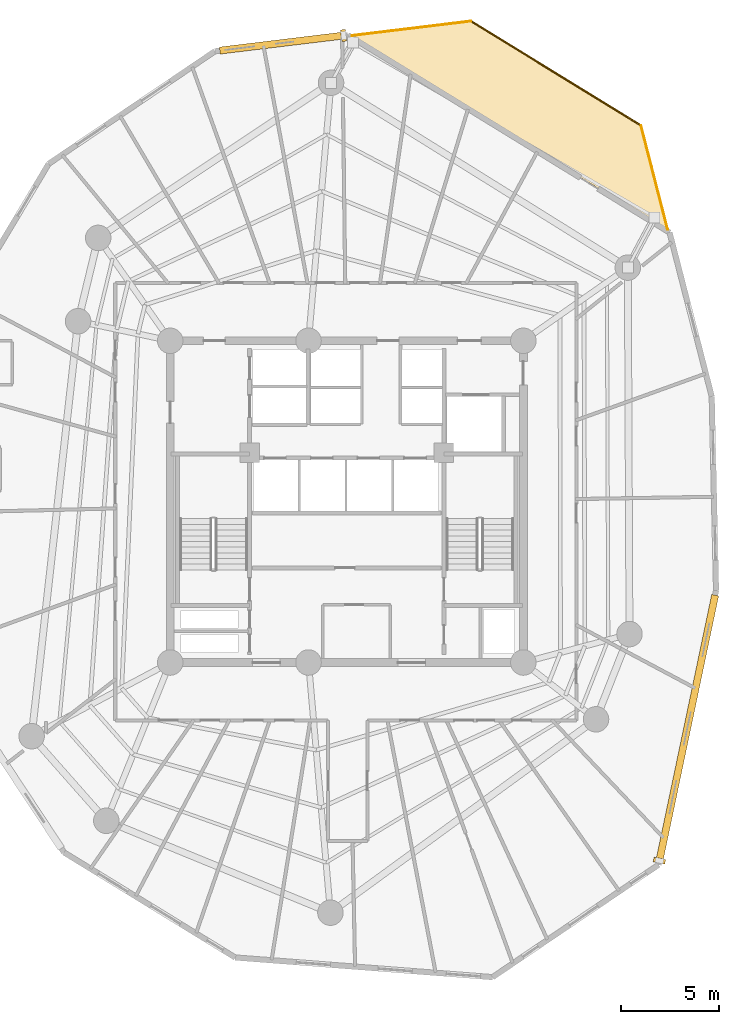
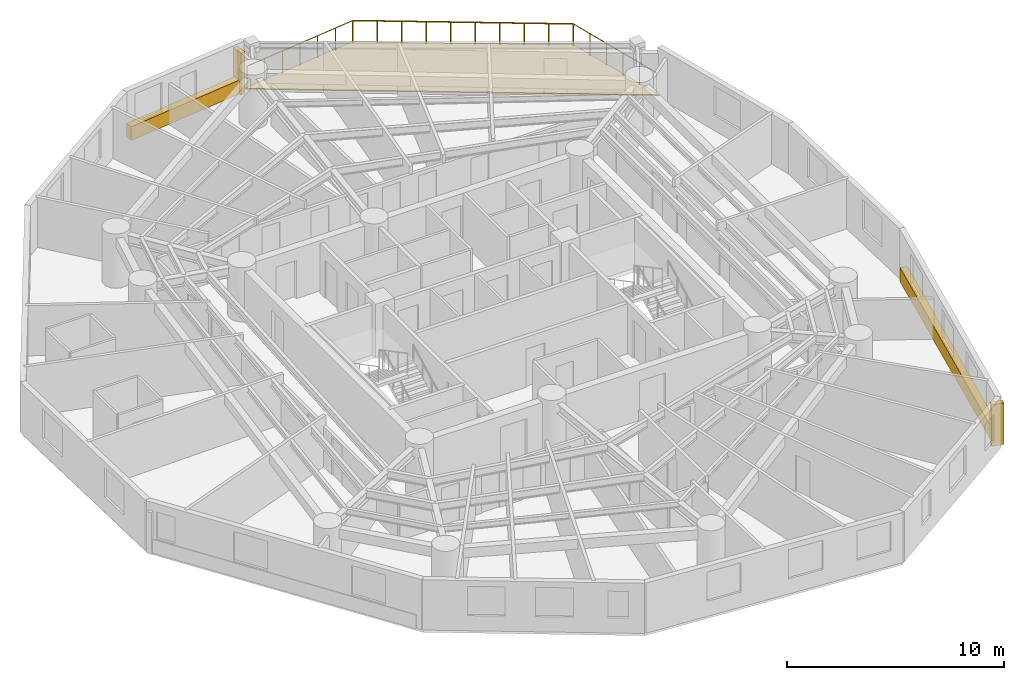
# One storey, part 9 of 9: 3 coverings, 3 railings, 2 shading devices.
"""IFC4 building model written with IfcOpenShell, lengths in metres."""

from ifc_helpers import new_model, si_unit, direction, frame, origin, origin_with_axes, origin_2d, place, context, subcontext, project, spatial, polyline, rectangle, circle, outline, extrude, source, transform, mapped, material, layer, layer_set, type_object, element, save


model = new_model("IFC4")

# Units and contexts
model_context = context("Model", 3, precision=1e-05, world=origin(), true_north=direction((0.0, 1.0)))
body_context = subcontext(model_context, "Body", "Model", "MODEL_VIEW")
ifc_project = project(units=[si_unit("LENGTHUNIT", "METRE"), si_unit("AREAUNIT", "SQUARE_METRE"), si_unit("VOLUMEUNIT", "CUBIC_METRE"), si_unit("PLANEANGLEUNIT", "RADIAN"), si_unit("MASSUNIT", "GRAM", prefix="KILO")], contexts=[model_context])

# Site, building, storey
site_placement = place(None, origin())
site = spatial("IfcSite", under=ifc_project, at=site_placement, CompositionType="ELEMENT")
building_placement = place(site_placement, origin())
building = spatial("IfcBuilding", under=site, at=building_placement, Name="Karkom Vertical University and Central Library", CompositionType="ELEMENT")
storey_placement = place(building_placement, frame((0.0, 0.0, 190.10009765625)))
storey = spatial("IfcBuildingStorey", under=building, at=storey_placement, Name="L55", CompositionType="ELEMENT", Elevation=190.10009765625)

# Covering
ifc_material_1 = material(Name="EPDM membrane with Kota stone ballast roofing", Category="masonry")
ifc_layer_1 = layer(ifc_material_1, 0.080078125)
ifc_layer_set_1 = layer_set([ifc_layer_1], Name="EPDM membrane with Kota stone ballast roofing")
covering_type_1 = type_object("IfcCoveringType", Name="ENV-COV-ROOF", PredefinedType="ROOFING", material=ifc_layer_set_1)
covering_1_placement = place(storey_placement, origin())
element("IfcCovering", 1, at=covering_1_placement, inside=storey, type_object=covering_type_1, Name="Level 55 Spiral Sky Garden Waterproofing Covering", PredefinedType="ROOFING", context=body_context, shape_type="SweptSolid", body=[
    extrude(outline(polyline([(34.840087890625, 51.050048828125), (43.5478515625, 45.705078125), (44.951416015625, 40.24609375), (28.587890625, 50.2900390625), (34.840087890625, 51.050048828125)])), origin(), (0.0, 0.0, 1.0), 0.059814453125),
])

# Railings
ifc_material_2 = material(Name="Architectural painted steel & laminated glass balustrade", Category="steel")
ifc_layer_2 = layer(ifc_material_2, 0.090087890625)
ifc_layer_set_2 = layer_set([ifc_layer_2], Name="Architectural painted steel & laminated glass balustrade")
railing_type = type_object("IfcRailingType", Name="ENV-RL-BAL1300", PredefinedType="BALUSTRADE", material=ifc_layer_set_2)
railing_1_placement = place(storey_placement, frame((34.82666015625, 50.98779296875, 0.0)))
element("IfcRailing", 2, at=railing_1_placement, inside=storey, type_object=railing_type, Name="Level 55 Planted Terrace Safety Balustrade 01", PredefinedType="BALUSTRADE", context=body_context, shape_type="SweptSolid", body=[
    extrude(circle(Radius=0.02392578125, at=origin_2d()), frame((0.0, 0.0, 1.27587890625), z_axis=(0.852258525097, -0.52312083346, 0.0), x_axis=(0.52312083346, 0.852258525097, 0.0)), (0.0, 0.0, 1.0), 10.171630859375),
    extrude(circle(Radius=0.02099609375, at=origin_2d()), origin(), (0.0, 0.0, 1.0), 1.251953125),
    extrude(circle(Radius=0.02099609375, at=origin_2d()), frame((0.963134765625, -0.59130859375, 0.0)), (0.0, 0.0, 1.0), 1.251953125),
    extrude(circle(Radius=0.02099609375, at=origin_2d()), frame((1.926513671875, -1.182373046875, 0.0)), (0.0, 0.0, 1.0), 1.251953125),
    extrude(circle(Radius=0.02099609375, at=origin_2d()), frame((2.8896484375, -1.773681640625, 0.0)), (0.0, 0.0, 1.0), 1.251953125),
    extrude(circle(Radius=0.02099609375, at=origin_2d()), frame((3.852783203125, -2.364990234375, 0.0)), (0.0, 0.0, 1.0), 1.251953125),
    extrude(circle(Radius=0.02099609375, at=origin_2d()), frame((4.816162109375, -2.9560546875, 0.0)), (0.0, 0.0, 1.0), 1.251953125),
    extrude(circle(Radius=0.02099609375, at=origin_2d()), frame((5.779296875, -3.54736328125, 0.0)), (0.0, 0.0, 1.0), 1.251953125),
    extrude(circle(Radius=0.02099609375, at=origin_2d()), frame((6.742431640625, -4.138671875, 0.0)), (0.0, 0.0, 1.0), 1.251953125),
    extrude(circle(Radius=0.02099609375, at=origin_2d()), frame((7.705810546875, -4.729736328125, 0.0)), (0.0, 0.0, 1.0), 1.251953125),
    extrude(circle(Radius=0.02099609375, at=origin_2d()), frame((8.6689453125, -5.321044921875, 0.0)), (0.0, 0.0, 1.0), 1.251953125),
])
railing_2_placement = place(storey_placement, frame((43.49560546875, 45.666748046875, 0.0)))
element("IfcRailing", 3, at=railing_2_placement, inside=storey, type_object=railing_type, Name="Level 55 Planted Terrace Safety Balustrade 02", PredefinedType="BALUSTRADE", context=body_context, shape_type="SweptSolid", body=[
    extrude(circle(Radius=0.02392578125, at=origin_2d()), frame((0.0, 0.0, 1.27587890625), z_axis=(0.249006314496, -0.9685018613, 0.0), x_axis=(0.9685018613, 0.249006314496, 0.0)), (0.0, 0.0, 1.0), 5.464111328125),
    extrude(circle(Radius=0.02099609375, at=origin_2d()), origin(), (0.0, 0.0, 1.0), 1.251953125),
    extrude(circle(Radius=0.02099609375, at=origin_2d()), frame((0.272216796875, -1.058349609375, 0.0)), (0.0, 0.0, 1.0), 1.251953125),
    extrude(circle(Radius=0.02099609375, at=origin_2d()), frame((0.544189453125, -2.11669921875, 0.0)), (0.0, 0.0, 1.0), 1.251953125),
    extrude(circle(Radius=0.02099609375, at=origin_2d()), frame((0.81640625, -3.17529296875, 0.0)), (0.0, 0.0, 1.0), 1.251953125),
    extrude(circle(Radius=0.02099609375, at=origin_2d()), frame((1.08837890625, -4.233642578125, 0.0)), (0.0, 0.0, 1.0), 1.251953125),
    extrude(circle(Radius=0.02099609375, at=origin_2d()), frame((1.360595703125, -5.2919921875, 0.0)), (0.0, 0.0, 1.0), 1.251953125),
])
railing_3_placement = place(storey_placement, frame((28.765869140625, 50.251220703125, 0.0)))
element("IfcRailing", 4, at=railing_3_placement, inside=storey, type_object=railing_type, Name="Level 55 Planted Terrace Safety Balustrade 03", PredefinedType="BALUSTRADE", context=body_context, shape_type="SweptSolid", body=[
    extrude(circle(Radius=0.02392578125, at=origin_2d()), frame((0.0, 0.0, 1.27587890625), z_axis=(0.99269595282, 0.120643048929, 0.0), x_axis=(-0.120643048929, 0.99269595282, 0.0)), (0.0, 0.0, 1.0), 6.10546875),
    extrude(circle(Radius=0.02099609375, at=origin_2d()), origin(), (0.0, 0.0, 1.0), 1.251953125),
    extrude(circle(Radius=0.02099609375, at=origin_2d()), frame((1.01025390625, 0.122802734375, 0.0)), (0.0, 0.0, 1.0), 1.251953125),
    extrude(circle(Radius=0.02099609375, at=origin_2d()), frame((2.020263671875, 0.24560546875, 0.0)), (0.0, 0.0, 1.0), 1.251953125),
    extrude(circle(Radius=0.02099609375, at=origin_2d()), frame((3.0302734375, 0.3681640625, 0.0)), (0.0, 0.0, 1.0), 1.251953125),
    extrude(circle(Radius=0.02099609375, at=origin_2d()), frame((4.04052734375, 0.490966796875, 0.0)), (0.0, 0.0, 1.0), 1.251953125),
    extrude(circle(Radius=0.02099609375, at=origin_2d()), frame((5.05078125, 0.61376953125, 0.0)), (0.0, 0.0, 1.0), 1.251953125),
    extrude(circle(Radius=0.02099609375, at=origin_2d()), frame((6.060791015625, 0.736572265625, 0.0)), (0.0, 0.0, 1.0), 1.251953125),
])

# Shading devices
ifc_material_3 = material(Name="Terracotta-clad precast concrete sun-breaker fin C45/55", Category="masonry")
shading_device_type = type_object("IfcShadingDeviceType", Name="ENV-SHD-BRISE", PredefinedType="USERDEFINED", material=ifc_material_3)
shared_shape_1 = source(origin_with_axes(), body_context, "Body", "SweptSolid", [
    extrude(rectangle(XDim=0.239990234375, YDim=0.60009765625, at=origin_2d()), origin(), (0.0, 0.0, 1.0), 2.35009765625),
])
for number, where, z_axis, x_axis, name in (
    (5, (44.435791015625, 8.201416015625, -0.000244140625), (0.0, 0.0, 1.0), (0.205521007059, 0.978652704312, 0.0), "Level 55 Brutalist Brise-Soleil Fin 05"),
    (6, (28.337646484375, 50.259765625, -0.000244140625), (0.0, 0.0, 1.0), (-0.992694302346, -0.120656628871, 0.0), "Level 55 Brutalist Brise-Soleil Fin 09"),
):
    element("IfcShadingDevice", number, at=place(storey_placement, frame(where, z_axis=z_axis, x_axis=x_axis)), inside=storey, type_object=shading_device_type, Name=name, ObjectType="BRISE SOLEIL", PredefinedType="USERDEFINED", context=body_context, shape_type="MappedRepresentation", body=[
        mapped(shared_shape_1, transform((0.0, 0.0, 0.0), scale=1.0)),
    ])

# Coverings
ifc_material_4 = material(Name="Hand-pressed red-ochre terracotta brick slip cladding", Category="masonry")
ifc_layer_3 = layer(ifc_material_4, 0.090087890625)
ifc_layer_set_3 = layer_set([ifc_layer_3], Name="Hand-pressed red-ochre terracotta brick slip cladding")
covering_type_2 = type_object("IfcCoveringType", Name="ENV-COV-CLAD", PredefinedType="CLADDING", material=ifc_layer_set_3)
shared_shape_2 = source(origin_with_axes(), body_context, "Body", "SweptSolid", [
    extrude(rectangle(XDim=13.7939453125, YDim=0.360107421875, at=origin_2d()), origin(), (0.0, 0.0, 1.0), 0.780029296875),
])
covering_2_placement = place(storey_placement, frame((45.859375, 14.980712890625, 0.0), z_axis=(0.0, 0.0, 1.0), x_axis=(0.205521007059, 0.978652704312, 0.0)))
element("IfcCovering", 7, at=covering_2_placement, inside=storey, type_object=covering_type_2, Name="Level 55 Terracotta Spandrel Cladding 05", PredefinedType="CLADDING", context=body_context, shape_type="MappedRepresentation", body=[
    mapped(shared_shape_2, transform((0.0, 0.0, 0.0), scale=1.0)),
])
shared_shape_3 = source(origin_with_axes(), body_context, "Body", "SweptSolid", [
    extrude(rectangle(XDim=6.325927734375, YDim=0.360107421875, at=origin_2d()), origin(), (0.0, 0.0, 1.0), 0.780029296875),
])
covering_3_placement = place(storey_placement, frame((25.168212890625, 49.874267578125, 0.0), z_axis=(0.0, 0.0, 1.0), x_axis=(-0.992694302346, -0.120656628871, 0.0)))
element("IfcCovering", 8, at=covering_3_placement, inside=storey, type_object=covering_type_2, Name="Level 55 Terracotta Spandrel Cladding 09", PredefinedType="CLADDING", context=body_context, shape_type="MappedRepresentation", body=[
    mapped(shared_shape_3, transform((0.0, 0.0, 0.0), scale=1.0)),
])

save(model, "model.ifc")
